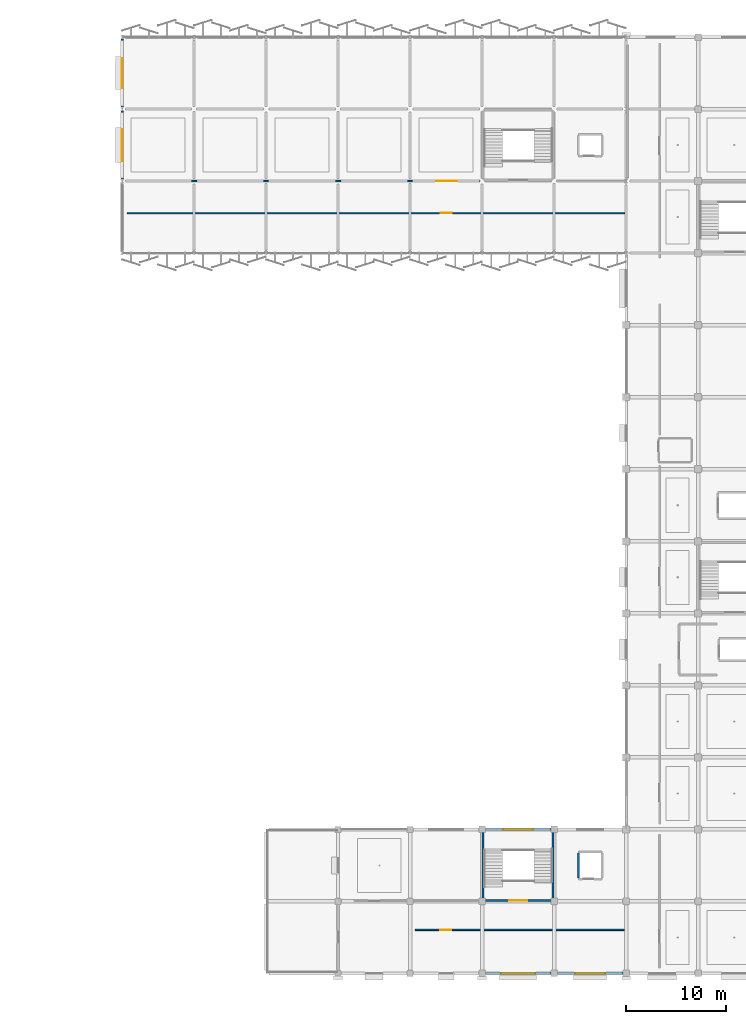
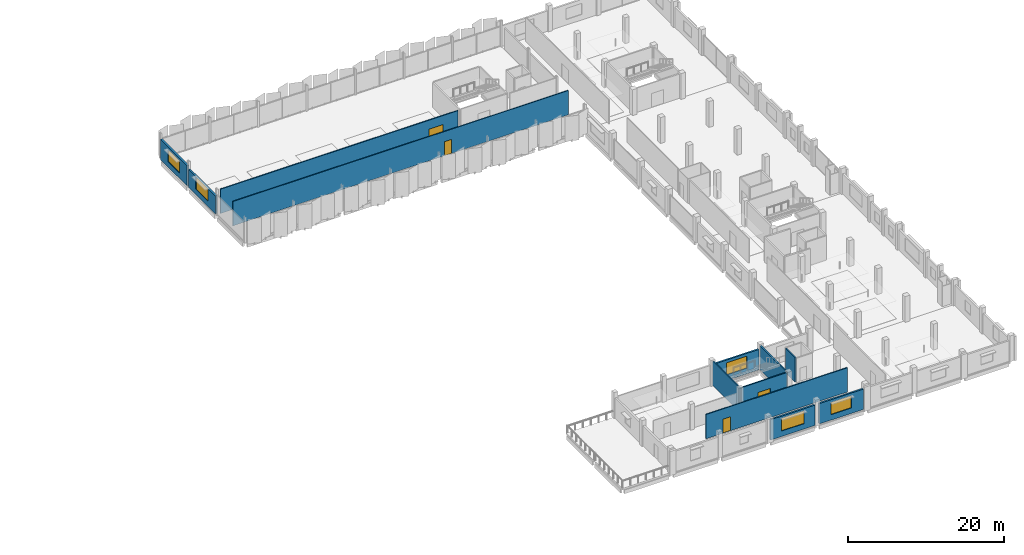
# One storey, part 70 of 91: 12 walls, 5 windows, 4 doors, 9 openings.
"""IFC4 building model written with IfcOpenShell, lengths in metres."""

import ifcopenshell
import ifcopenshell.guid

model = None  # the IFC model being written
_history = None  # IfcOwnerHistory: only IFC2X3 demands one
_inside = {}  # id of a spatial element -> (the spatial element, [elements in it])
_under = {}  # id of a project, library or spatial element -> (it, [spatial elements below it])
_declared = {}  # id of a project -> (the project, [libraries it declares])
_typed = {}  # id of a type object -> (the type object, [elements of that type])
_made_of = {}  # id of a material, layer set ... -> (it, [elements and type objects made of it])


def new_model(schema):
    """Start an empty IFC model of exactly this schema.

    Asked for "IFC4X3", IfcOpenShell would pick the latest addendum, in which some entities
    have other attributes; the version numbers below select the first issue.
    IFC2X3 requires an IfcOwnerHistory on every rooted entity: one is made here for all.
    """
    global model, _history
    if schema == "IFC4X3":
        model = ifcopenshell.file(schema_version=(4, 3, 0, 0))
    else:
        model = ifcopenshell.file(schema=schema)
    _inside.clear()
    _under.clear()
    _declared.clear()
    _typed.clear()
    _made_of.clear()
    _history = None
    if model.schema == "IFC2X3":
        org = make("IfcOrganization", Name="unknown")
        user = make(
            "IfcPersonAndOrganization",
            ThePerson=make("IfcPerson", FamilyName="unknown"),
            TheOrganization=org,
        )
        app = make(
            "IfcApplication",
            ApplicationDeveloper=org,
            Version="unknown",
            ApplicationFullName="unknown",
            ApplicationIdentifier="unknown",
        )
        _history = make(
            "IfcOwnerHistory",
            OwningUser=user,
            OwningApplication=app,
            ChangeAction="ADDED",
            CreationDate=0,
        )
    return model


def make(cls, **values):
    """One entity of the class cls with the attributes given. An attribute that is None is left unset."""
    return model.create_entity(
        cls, **{name: value for name, value in values.items() if value is not None}
    )


def rooted(cls, **values):
    """An entity with a GlobalId (a new one), such as an element, a storey or a relation."""
    return make(cls, GlobalId=ifcopenshell.guid.new(), OwnerHistory=_history, **values)


def si_unit(unit_type, name, prefix=None):
    """IfcSIUnit, for example si_unit("LENGTHUNIT", "METRE", prefix="MILLI")."""
    return make("IfcSIUnit", UnitType=unit_type, Prefix=prefix, Name=name)


def assignment(units):
    """IfcUnitAssignment: the units of a project."""
    return None if units is None else make("IfcUnitAssignment", Units=units)


def point(xyz):
    """IfcCartesianPoint."""
    return None if xyz is None else make("IfcCartesianPoint", Coordinates=xyz)


def direction(xyz):
    """IfcDirection."""
    return None if xyz is None else make("IfcDirection", DirectionRatios=xyz)


def frame(location, z_axis=None, x_axis=None):
    """IfcAxis2Placement3D, a coordinate frame: its origin and axes. An axis left out is left unset."""
    return make(
        "IfcAxis2Placement3D",
        Location=point(location),
        Axis=direction(z_axis),
        RefDirection=direction(x_axis),
    )


def frame_2d(location, x_axis=None):
    """IfcAxis2Placement2D, a coordinate frame in the plane: its origin and x axis."""
    return make(
        "IfcAxis2Placement2D", Location=point(location), RefDirection=direction(x_axis)
    )


def origin():
    """The frame at (0, 0, 0) with its axes left unset."""
    return frame((0.0, 0.0, 0.0))


def place(relative_to, where):
    """IfcLocalPlacement: puts the frame where relative to a parent placement (None: the world)."""
    return make(
        "IfcLocalPlacement", PlacementRelTo=relative_to, RelativePlacement=where
    )


def context(
    kind, dimensions, precision=None, world=None, true_north=None, identifier=None
):
    """IfcGeometricRepresentationContext, for example the 3D "Model" context."""
    return make(
        "IfcGeometricRepresentationContext",
        ContextIdentifier=identifier,
        ContextType=kind,
        CoordinateSpaceDimension=dimensions,
        Precision=precision,
        WorldCoordinateSystem=world,
        TrueNorth=true_north,
    )


def subcontext(parent, identifier, kind, view, scale=None):
    """IfcGeometricRepresentationSubContext, for example "Body" below "Model"."""
    return make(
        "IfcGeometricRepresentationSubContext",
        ContextIdentifier=identifier,
        ContextType=kind,
        ParentContext=parent,
        TargetScale=scale,
        TargetView=view,
    )


def project(units=None, contexts=None):
    """IfcProject with its units and contexts."""
    return rooted(
        "IfcProject",
        Name="project",
        RepresentationContexts=contexts,
        UnitsInContext=assignment(units),
    )


def spatial(cls, under=None, at=None, **own):
    """A site, building, storey or space (cls), placed at a placement, below another one or the project."""
    s = rooted(cls, ObjectPlacement=at, **own)
    if under is not None:
        _under.setdefault(under.id(), (under, []))[1].append(s)
    return s


def profile(cls, at=None, kind="AREA", **sizes):
    """A parametric profile (cls). Its sizes go by their IFC names, for example OverallWidth=200.0."""
    return make(cls, ProfileType=kind, Position=at, **sizes)


def rectangle(**sizes):
    """IfcRectangleProfileDef."""
    return profile("IfcRectangleProfileDef", **sizes)


def extrude(swept, where, along, depth):
    """IfcExtrudedAreaSolid: the profile swept, set in the frame where, extruded along a direction by depth."""
    return make(
        "IfcExtrudedAreaSolid",
        SweptArea=swept,
        Position=where,
        ExtrudedDirection=direction(along),
        Depth=depth,
    )


def shape(context_of_items, identifier, shape_type, items):
    """IfcShapeRepresentation: the items that make up one representation, for example the "Body"."""
    return make(
        "IfcShapeRepresentation",
        ContextOfItems=context_of_items,
        RepresentationIdentifier=identifier,
        RepresentationType=shape_type,
        Items=items,
    )


def material(Name=None, Category=None):
    """IfcMaterial."""
    return make("IfcMaterial", Name=Name, Category=Category)


def layer(
    of_material, thickness, ventilated=None, Name=None, Category=None, Priority=None
):
    """IfcMaterialLayer: one layer of a wall or slab, of a material (None: an air gap)."""
    return make(
        "IfcMaterialLayer",
        Material=of_material,
        LayerThickness=thickness,
        IsVentilated=ventilated,
        Name=Name,
        Category=Category,
        Priority=Priority,
    )


def layer_set(layers, Name=None):
    """IfcMaterialLayerSet."""
    return make("IfcMaterialLayerSet", MaterialLayers=layers, LayerSetName=Name)


def made_of(thing, what):
    """Note that an element or type object is made of a material, layer set ...; save() writes the relation."""
    if what is not None:
        _made_of.setdefault(what.id(), (what, []))[1].append(thing)
    return thing


def type_object(cls, material=None, **own):
    """A type object (cls), such as IfcWallType, which elements share."""
    return made_of(rooted(cls, **own), material)


def element(
    cls,
    number,
    at=None,
    inside=None,
    cuts=None,
    type_object=None,
    material=None,
    context=None,
    identifier="Body",
    shape_type=None,
    held_by="IfcProductDefinitionShape",
    body=None,
    shapes=None,
    **own,
):
    """One element of the class cls, such as IfcWall. Its Tag is "e" and its number.

    at: its placement. inside: the storey or other place that contains it. cuts: it is an
    opening in that element (IfcRelVoidsElement). A single representation is given by context,
    identifier, shape_type and body (its items); several are given by shapes. held_by: the class
    of the entity that holds the representations. save() writes the other relations.
    """
    e = rooted(cls, Tag="e%d" % number, ObjectPlacement=at, **own)
    if body is not None:
        shapes = [shape(context, identifier, shape_type, body)]
    if shapes is not None:
        e.Representation = make(held_by, Representations=shapes)
    if inside is not None:
        _inside.setdefault(inside.id(), (inside, []))[1].append(e)
    if cuts is not None:
        rooted(
            "IfcRelVoidsElement", RelatingBuildingElement=cuts, RelatedOpeningElement=e
        )
    if type_object is not None:
        _typed.setdefault(type_object.id(), (type_object, []))[1].append(e)
    return made_of(e, material)


def fill(opening, filler):
    """IfcRelFillsElement: the door or window that sits in an opening."""
    return rooted(
        "IfcRelFillsElement",
        RelatingOpeningElement=opening,
        RelatedBuildingElement=filler,
    )


def aggregate(whole, parts):
    """IfcRelAggregates: a whole, such as a stair, and the parts it consists of."""
    return rooted("IfcRelAggregates", RelatingObject=whole, RelatedObjects=parts)


def save(model, path):
    """Write the relations noted so far, then the file.

    IfcRelAggregates (storeys below a building ...), IfcRelContainedInSpatialStructure (elements
    in a storey), IfcRelDefinesByType, IfcRelAssociatesMaterial and IfcRelDeclares: one each for
    every whole, place, type object, material and project.
    """
    for whole, parts in _under.values():
        aggregate(whole, parts)
    for where, things in _inside.values():
        rooted(
            "IfcRelContainedInSpatialStructure",
            RelatedElements=things,
            RelatingStructure=where,
        )
    for kind, things in _typed.values():
        rooted("IfcRelDefinesByType", RelatedObjects=things, RelatingType=kind)
    for what, things in _made_of.values():
        rooted("IfcRelAssociatesMaterial", RelatedObjects=things, RelatingMaterial=what)
    for by, libraries in _declared.values():
        rooted("IfcRelDeclares", RelatingContext=by, RelatedDefinitions=libraries)
    model.write(path)


model = new_model("IFC4")

# Units and contexts
model_context = context("Model", 3, precision=1e-05, world=origin(), true_north=direction((0.0, 1.0)))
body_context = subcontext(model_context, "Body", "Model", "MODEL_VIEW")
ifc_project = project(units=[si_unit("LENGTHUNIT", "METRE"), si_unit("AREAUNIT", "SQUARE_METRE"), si_unit("VOLUMEUNIT", "CUBIC_METRE"), si_unit("PLANEANGLEUNIT", "RADIAN"), si_unit("MASSUNIT", "GRAM", prefix="KILO")], contexts=[model_context])

# Site, building, storey
site_placement = place(None, origin())
site = spatial("IfcSite", under=ifc_project, at=site_placement, CompositionType="ELEMENT")
building_placement = place(site_placement, origin())
building = spatial("IfcBuilding", under=site, at=building_placement, Name="Kangsadwip Square Police Headquarters", CompositionType="ELEMENT")
storey_placement = place(building_placement, frame((0.0, 0.0, 13.5)))
storey = spatial("IfcBuildingStorey", under=building, at=storey_placement, Name="L03", CompositionType="ELEMENT", Elevation=13.5)

# Wall, opening, door
ifc_material_1 = material(Name="Fire-rated double gypsum board acoustic stud partition", Category="masonry")
ifc_layer_1 = layer(ifc_material_1, 0.1201171875)
ifc_layer_set_1 = layer_set([ifc_layer_1], Name="Fire-rated double gypsum board acoustic stud partition")
wall_type_1 = type_object("IfcWallType", Name="AcousticPartition120", PredefinedType="PARTITIONING", material=ifc_layer_set_1)
wall_1_placement = place(storey_placement, frame((94.10009765625, 97.60009765625, 0.0), z_axis=(0.0, 0.0, 1.0), x_axis=(1.0, 0.0, 0.0)))
wall_1 = element("IfcWall", 1, at=wall_1_placement, inside=storey, type_object=wall_type_1, Name="Interior Wall WI-L03-0818", PredefinedType="PARTITIONING", context=body_context, shape_type="SweptSolid", body=[
    extrude(rectangle(XDim=49.75, YDim=0.1201171875, at=frame_2d((24.875, 0.0))), origin(), (0.0, 0.0, 1.0), 3.81005859375),
])
opening_1_placement = place(wall_1_placement, frame((31.346923828125, 0.0, 0.0)))
opening_1 = element("IfcOpeningElement", 2, at=opening_1_placement, cuts=wall_1, Name="Opening FD-11A", PredefinedType="OPENING", context=body_context, shape_type="SweptSolid", body=[
    extrude(rectangle(XDim=1.10009765625, YDim=2.199951171875, at=frame_2d((0.550048828125, 1.10009765625))), frame((0.0, 0.070068359375, 0.0), z_axis=(0.0, -1.0, 0.0), x_axis=(1.0, 0.0, 0.0)), (0.0, 0.0, 1.0), 0.14013671875),
])
ifc_material_2 = material(Name="Insulated galvanized steel fire-rated door assembly", Category="steel")
door_type_1 = type_object("IfcDoorType", Name="LabSingleDoor1100x2200", OperationType="NOTDEFINED", PredefinedType="DOOR", material=ifc_material_2)
door_1_placement = place(opening_1_placement, origin())
door_1 = element("IfcDoor", 3, at=door_1_placement, inside=storey, type_object=door_type_1, Name="Interior Door ID-L03-0211", OperationType="SINGLE_SWING_LEFT", OverallHeight=2.199951171875, OverallWidth=1.10009765625, PredefinedType="DOOR", context=body_context, shape_type="SweptSolid", body=[
    extrude(rectangle(XDim=1.10009765625, YDim=2.199951171875, at=frame_2d((0.550048828125, 1.10009765625))), frame((0.0, 0.02490234375, 0.0), z_axis=(0.0, -1.0, 0.0), x_axis=(1.0, 0.0, 0.0)), (0.0, 0.0, 1.0), 0.050048828125),
])
fill(opening_1, door_1)

ifc_material_3 = material(Name="Autoclaved aerated concrete blockwork masonry", Category="masonry")
ifc_layer_2 = layer(ifc_material_3, 0.14990234375)
ifc_layer_set_2 = layer_set([ifc_layer_2], Name="Autoclaved aerated concrete blockwork masonry")
wall_type_2 = type_object("IfcWallType", Name="BlockPartition150", PredefinedType="PARTITIONING", material=ifc_layer_set_2)
wall_2_placement = place(storey_placement, frame((94.10009765625, 100.800048828125, 0.0), z_axis=(0.0, 0.0, 1.0), x_axis=(1.0, 0.0, 0.0)))
wall_2 = element("IfcWall", 4, at=wall_2_placement, inside=storey, type_object=wall_type_2, Name="Interior Wall WI-L03-0816", PredefinedType="PARTITIONING", context=body_context, shape_type="SweptSolid", body=[
    extrude(rectangle(XDim=35.25, YDim=0.14990234375, at=frame_2d((17.625, 0.0))), origin(), (0.0, 0.0, 1.0), 3.81005859375),
])
opening_2_placement = place(wall_2_placement, frame((30.89111328125, 0.0, 0.0)))
opening_2 = element("IfcOpeningElement", 5, at=opening_2_placement, cuts=wall_2, Name="Opening ID-21", PredefinedType="OPENING", context=body_context, shape_type="SweptSolid", body=[
    extrude(rectangle(XDim=2.10009765625, YDim=2.39990234375, at=frame_2d((1.050048828125, 1.199951171875))), frame((0.0, 0.0849609375, 0.0), z_axis=(0.0, -1.0, 0.0), x_axis=(1.0, 0.0, 0.0)), (0.0, 0.0, 1.0), 0.169921875),
])
ifc_material_4 = material(Name="Solid-core seasoned teak hardwood architectural door", Category="wood")
door_type_2 = type_object("IfcDoorType", Name="HallDoubleDoor2100x2400", OperationType="DOUBLE_DOOR_SINGLE_SWING", PredefinedType="DOOR", material=ifc_material_4)
door_2_placement = place(opening_2_placement, origin())
door_2 = element("IfcDoor", 6, at=door_2_placement, inside=storey, type_object=door_type_2, Name="Interior Door ID-L03-0210", OperationType="DOUBLE_DOOR_SINGLE_SWING", OverallHeight=2.39990234375, OverallWidth=2.10009765625, PredefinedType="DOOR", context=body_context, shape_type="SweptSolid", body=[
    extrude(rectangle(XDim=2.10009765625, YDim=2.39990234375, at=frame_2d((1.050048828125, 1.199951171875))), frame((0.0, 0.02490234375, 0.0), z_axis=(0.0, -1.0, 0.0), x_axis=(1.0, 0.0, 0.0)), (0.0, 0.0, 1.0), 0.050048828125),
])
fill(opening_2, door_2)

wall_3_placement = place(storey_placement, frame((122.89990234375, 25.949951171875, 0.0), z_axis=(0.0, 0.0, 1.0), x_axis=(1.0, 0.0, 0.0)))
wall_3 = element("IfcWall", 7, at=wall_3_placement, inside=storey, type_object=wall_type_2, Name="Interior Wall WI-L03-0827", PredefinedType="PARTITIONING", context=body_context, shape_type="SweptSolid", body=[
    extrude(rectangle(XDim=20.9501953125, YDim=0.14990234375, at=frame_2d((10.47509765625, 0.0))), origin(), (0.0, 0.0, 1.0), 3.81005859375),
])
opening_3_placement = place(wall_3_placement, frame((2.511962890625, 0.0, 0.0)))
opening_3 = element("IfcOpeningElement", 8, at=opening_3_placement, cuts=wall_3, Name="Opening FD-11A", PredefinedType="OPENING", context=body_context, shape_type="SweptSolid", body=[
    extrude(rectangle(XDim=1.10009765625, YDim=2.199951171875, at=frame_2d((0.550048828125, 1.10009765625))), frame((0.0, 0.0849609375, 0.0), z_axis=(0.0, -1.0, 0.0), x_axis=(1.0, 0.0, 0.0)), (0.0, 0.0, 1.0), 0.169921875),
])
door_3_placement = place(opening_3_placement, origin())
door_3 = element("IfcDoor", 9, at=door_3_placement, inside=storey, type_object=door_type_1, Name="Interior Door ID-L03-0218", OperationType="SINGLE_SWING_LEFT", OverallHeight=2.199951171875, OverallWidth=1.10009765625, PredefinedType="DOOR", context=body_context, shape_type="SweptSolid", body=[
    extrude(rectangle(XDim=1.10009765625, YDim=2.199951171875, at=frame_2d((0.550048828125, 1.10009765625))), frame((0.0, 0.02490234375, 0.0), z_axis=(0.0, -1.0, 0.0), x_axis=(1.0, 0.0, 0.0)), (0.0, 0.0, 1.0), 0.050048828125),
])
fill(opening_3, door_3)

# Wall, opening, window
ifc_material_5 = material(Name="Glazed architectural terracotta masonry rainscreen", Category="masonry")
ifc_layer_3 = layer(ifc_material_5, 0.25)
ifc_layer_set_3 = layer_set([ifc_layer_3], Name="Glazed architectural terracotta masonry rainscreen")
wall_type_3 = type_object("IfcWallType", Name="ChicagoTerracottaWall250", PredefinedType="SOLIDWALL", material=ifc_layer_set_3)
wall_4_placement = place(storey_placement, frame((129.919921875, 21.60009765625, 0.0), z_axis=(0.0, 0.0, 1.0), x_axis=(1.0, 0.0, 0.0)))
wall_4 = element("IfcWall", 10, at=wall_4_placement, inside=storey, type_object=wall_type_3, Name="Exterior Wall WE-L03-364", PredefinedType="SOLIDWALL", context=body_context, shape_type="SweptSolid", body=[
    extrude(rectangle(XDim=6.56005859375, YDim=0.25, at=frame_2d((3.280029296875, 0.0))), origin(), (0.0, 0.0, 1.0), 3.195068359375),
])
opening_4_placement = place(wall_4_placement, frame((1.580078125, 0.0, 0.85009765625)))
opening_4 = element("IfcOpeningElement", 11, at=opening_4_placement, cuts=wall_4, Name="Opening WN-02", PredefinedType="OPENING", context=body_context, shape_type="SweptSolid", body=[
    extrude(rectangle(XDim=3.39990234375, YDim=2.0, at=frame_2d((1.699951171875, 1.0))), frame((0.0, 0.135009765625, 0.0), z_axis=(0.0, -1.0, 0.0), x_axis=(1.0, 0.0, 0.0)), (0.0, 0.0, 1.0), 0.27001953125),
])
ifc_material_6 = material(Name="Double-glazed solar-control low-E safety glass", Category="glass")
window_type_1 = type_object("IfcWindowType", Name="ChicagoTripartiteWin3400x2000", PartitioningType="TRIPLE_PANEL_HORIZONTAL", PredefinedType="WINDOW", material=ifc_material_6)
window_1_placement = place(opening_4_placement, origin())
window_1 = element("IfcWindow", 12, at=window_1_placement, inside=storey, type_object=window_type_1, Name="Window WN-L03-0217", OverallHeight=2.0, OverallWidth=3.39990234375, PartitioningType="SINGLE_PANEL", PredefinedType="WINDOW", context=body_context, shape_type="SweptSolid", body=[
    extrude(rectangle(XDim=3.39990234375, YDim=2.0, at=frame_2d((1.699951171875, 1.0))), frame((0.0, 0.030029296875, 0.0), z_axis=(0.0, -1.0, 0.0), x_axis=(1.0, 0.0, 0.0)), (0.0, 0.0, 1.0), 0.06005859375),
])
fill(opening_4, window_1)

wall_5_placement = place(storey_placement, frame((137.1201171875, 21.60009765625, 0.0), z_axis=(0.0, 0.0, 1.0), x_axis=(1.0, 0.0, 0.0)))
wall_5 = element("IfcWall", 13, at=wall_5_placement, inside=storey, type_object=wall_type_3, Name="Exterior Wall WE-L03-365", PredefinedType="SOLIDWALL", context=body_context, shape_type="SweptSolid", body=[
    extrude(rectangle(XDim=6.559814453125, YDim=0.25, at=frame_2d((3.27978515625, 0.0))), origin(), (0.0, 0.0, 1.0), 3.195068359375),
])
opening_5_placement = place(wall_5_placement, frame((1.780029296875, 0.0, 0.85009765625)))
opening_5 = element("IfcOpeningElement", 14, at=opening_5_placement, cuts=wall_5, Name="Opening WN-04", PredefinedType="OPENING", context=body_context, shape_type="SweptSolid", body=[
    extrude(rectangle(XDim=3.0, YDim=1.89990234375, at=frame_2d((1.5, 0.949951171875))), frame((0.0, 0.135009765625, 0.0), z_axis=(0.0, -1.0, 0.0), x_axis=(1.0, 0.0, 0.0)), (0.0, 0.0, 1.0), 0.27001953125),
])
ifc_material_7 = material(Name="Double-glazed solar-control low-E safety glass", Category="glass")
window_type_2 = type_object("IfcWindowType", Name="ChicagoTripartiteWin3000x1900", PartitioningType="TRIPLE_PANEL_HORIZONTAL", PredefinedType="WINDOW", material=ifc_material_7)
window_2_placement = place(opening_5_placement, origin())
window_2 = element("IfcWindow", 15, at=window_2_placement, inside=storey, type_object=window_type_2, Name="Window WN-L03-0218", OverallHeight=1.89990234375, OverallWidth=3.0, PartitioningType="SINGLE_PANEL", PredefinedType="WINDOW", context=body_context, shape_type="SweptSolid", body=[
    extrude(rectangle(XDim=3.0, YDim=1.89990234375, at=frame_2d((1.5, 0.949951171875))), frame((0.0, 0.030029296875, 0.0), z_axis=(0.0, -1.0, 0.0), x_axis=(1.0, 0.0, 0.0)), (0.0, 0.0, 1.0), 0.06005859375),
])
fill(opening_5, window_2)

wall_6_placement = place(storey_placement, frame((129.919921875, 36.0, 0.0), z_axis=(0.0, 0.0, 1.0), x_axis=(1.0, 0.0, 0.0)))
wall_6 = element("IfcWall", 16, at=wall_6_placement, inside=storey, type_object=wall_type_3, Name="Exterior Wall WE-L03-373", PredefinedType="SOLIDWALL", context=body_context, shape_type="SweptSolid", body=[
    extrude(rectangle(XDim=6.56005859375, YDim=0.25, at=frame_2d((3.280029296875, 0.0))), origin(), (0.0, 0.0, 1.0), 3.195068359375),
])
opening_6_placement = place(wall_6_placement, frame((1.780029296875, 0.0, 0.85009765625)))
opening_6 = element("IfcOpeningElement", 17, at=opening_6_placement, cuts=wall_6, Name="Opening WN-04", PredefinedType="OPENING", context=body_context, shape_type="SweptSolid", body=[
    extrude(rectangle(XDim=3.0, YDim=1.89990234375, at=frame_2d((1.5, 0.949951171875))), frame((0.0, 0.135009765625, 0.0), z_axis=(0.0, -1.0, 0.0), x_axis=(1.0, 0.0, 0.0)), (0.0, 0.0, 1.0), 0.27001953125),
])
window_3_placement = place(opening_6_placement, origin())
window_3 = element("IfcWindow", 18, at=window_3_placement, inside=storey, type_object=window_type_2, Name="Window WN-L03-0226", OverallHeight=1.89990234375, OverallWidth=3.0, PartitioningType="SINGLE_PANEL", PredefinedType="WINDOW", context=body_context, shape_type="SweptSolid", body=[
    extrude(rectangle(XDim=3.0, YDim=1.89990234375, at=frame_2d((1.5, 0.949951171875))), frame((0.0, 0.030029296875, 0.0), z_axis=(0.0, -1.0, 0.0), x_axis=(1.0, 0.0, 0.0)), (0.0, 0.0, 1.0), 0.06005859375),
])
fill(opening_6, window_3)

wall_7_placement = place(storey_placement, frame((93.60009765625, 100.97802734375, 0.0), z_axis=(0.0, 0.0, 1.0), x_axis=(0.0, 1.0, 0.0)))
wall_7 = element("IfcWall", 19, at=wall_7_placement, inside=storey, type_object=wall_type_3, Name="Exterior Wall WE-L03-399", PredefinedType="SOLIDWALL", context=body_context, shape_type="SweptSolid", body=[
    extrude(rectangle(XDim=6.843994140625, YDim=0.25, at=frame_2d((3.421875, 0.0))), origin(), (0.0, 0.0, 1.0), 2.844970703125),
])
opening_7_placement = place(wall_7_placement, frame((1.822021484375, 0.0, 0.85009765625)))
opening_7 = element("IfcOpeningElement", 20, at=opening_7_placement, cuts=wall_7, Name="Opening WN-03", PredefinedType="OPENING", context=body_context, shape_type="SweptSolid", body=[
    extrude(rectangle(XDim=3.199951171875, YDim=1.949951171875, at=frame_2d((1.60009765625, 0.97509765625))), frame((0.0, 0.135009765625, 0.0), z_axis=(0.0, -1.0, 0.0), x_axis=(1.0, 0.0, 0.0)), (0.0, 0.0, 1.0), 0.27001953125),
])
ifc_material_8 = material(Name="Double-glazed solar-control low-E safety glass", Category="glass")
window_type_3 = type_object("IfcWindowType", Name="ChicagoTripartiteWin3200x1950", PartitioningType="TRIPLE_PANEL_HORIZONTAL", PredefinedType="WINDOW", material=ifc_material_8)
window_4_placement = place(opening_7_placement, origin())
window_4 = element("IfcWindow", 21, at=window_4_placement, inside=storey, type_object=window_type_3, Name="Window WN-L03-0251", OverallHeight=1.949951171875, OverallWidth=3.199951171875, PartitioningType="SINGLE_PANEL", PredefinedType="WINDOW", context=body_context, shape_type="SweptSolid", body=[
    extrude(rectangle(XDim=3.199951171875, YDim=1.949951171875, at=frame_2d((1.60009765625, 0.97509765625))), frame((0.0, 0.030029296875, 0.0), z_axis=(0.0, -1.0, 0.0), x_axis=(1.0, 0.0, 0.0)), (0.0, 0.0, 1.0), 0.06005859375),
])
fill(opening_7, window_4)

wall_8_placement = place(storey_placement, frame((93.60009765625, 108.177978515625, 0.0), z_axis=(0.0, 0.0, 1.0), x_axis=(0.0, 1.0, 0.0)))
wall_8 = element("IfcWall", 22, at=wall_8_placement, inside=storey, type_object=wall_type_3, Name="Exterior Wall WE-L03-400", PredefinedType="SOLIDWALL", context=body_context, shape_type="SweptSolid", body=[
    extrude(rectangle(XDim=6.843994140625, YDim=0.25, at=frame_2d((3.421875, 0.0))), origin(), (0.0, 0.0, 1.0), 3.195068359375),
])
opening_8_placement = place(wall_8_placement, frame((1.922119140625, 0.0, 0.85009765625)))
opening_8 = element("IfcOpeningElement", 23, at=opening_8_placement, cuts=wall_8, Name="Opening WN-04", PredefinedType="OPENING", context=body_context, shape_type="SweptSolid", body=[
    extrude(rectangle(XDim=3.0, YDim=1.89990234375, at=frame_2d((1.5, 0.949951171875))), frame((0.0, 0.135009765625, 0.0), z_axis=(0.0, -1.0, 0.0), x_axis=(1.0, 0.0, 0.0)), (0.0, 0.0, 1.0), 0.27001953125),
])
window_5_placement = place(opening_8_placement, origin())
window_5 = element("IfcWindow", 24, at=window_5_placement, inside=storey, type_object=window_type_2, Name="Window WN-L03-0252", OverallHeight=1.89990234375, OverallWidth=3.0, PartitioningType="SINGLE_PANEL", PredefinedType="WINDOW", context=body_context, shape_type="SweptSolid", body=[
    extrude(rectangle(XDim=3.0, YDim=1.89990234375, at=frame_2d((1.5, 0.949951171875))), frame((0.0, 0.030029296875, 0.0), z_axis=(0.0, -1.0, 0.0), x_axis=(1.0, 0.0, 0.0)), (0.0, 0.0, 1.0), 0.06005859375),
])
fill(opening_8, window_5)

# Wall, opening, door
ifc_material_9 = material(Name="Concrete M40 (40 MPa)", Category="concrete")
ifc_layer_4 = layer(ifc_material_9, 0.199951171875)
ifc_layer_set_4 = layer_set([ifc_layer_4], Name="Concrete M40 (40 MPa)")
wall_type_4 = type_object("IfcWallType", Name="CoreShearWall200", PredefinedType="SHEAR", material=ifc_layer_set_4)
wall_9_placement = place(storey_placement, frame((129.800048828125, 28.89990234375, 0.0), z_axis=(0.0, 0.0, 1.0), x_axis=(1.0, 0.0, 0.0)))
wall_9 = element("IfcWall", 25, at=wall_9_placement, inside=storey, type_object=wall_type_4, Name="Interior Wall WI-L03-0190", PredefinedType="SHEAR", context=body_context, shape_type="SweptSolid", body=[
    extrude(rectangle(XDim=6.800048828125, YDim=0.199951171875, at=frame_2d((3.39990234375, 0.0))), origin(), (0.0, 0.0, 1.0), 3.81005859375),
])
opening_9_placement = place(wall_9_placement, frame((2.5, 0.0, 0.0)))
opening_9 = element("IfcOpeningElement", 26, at=opening_9_placement, cuts=wall_9, Name="Opening FD-18", PredefinedType="OPENING", context=body_context, shape_type="SweptSolid", body=[
    extrude(rectangle(XDim=1.800048828125, YDim=2.199951171875, at=frame_2d((0.89990234375, 1.10009765625))), frame((0.0, 0.10986328125, 0.0), z_axis=(0.0, -1.0, 0.0), x_axis=(1.0, 0.0, 0.0)), (0.0, 0.0, 1.0), 0.219970703125),
])
ifc_material_10 = material(Name="Insulated galvanized steel fire-rated door assembly", Category="steel")
door_type_3 = type_object("IfcDoorType", Name="StairFireDoor1800x2200", OperationType="DOUBLE_DOOR_SINGLE_SWING", PredefinedType="DOOR", material=ifc_material_10)
door_4_placement = place(opening_9_placement, origin())
door_4 = element("IfcDoor", 27, at=door_4_placement, inside=storey, type_object=door_type_3, Name="Interior Door ID-L03-0043", OperationType="DOUBLE_DOOR_SINGLE_SWING", OverallHeight=2.199951171875, OverallWidth=1.800048828125, PredefinedType="DOOR", context=body_context, shape_type="SweptSolid", body=[
    extrude(rectangle(XDim=1.800048828125, YDim=2.199951171875, at=frame_2d((0.89990234375, 1.10009765625))), frame((0.0, 0.02490234375, 0.0), z_axis=(0.0, -1.0, 0.0), x_axis=(1.0, 0.0, 0.0)), (0.0, 0.0, 1.0), 0.050048828125),
])
fill(opening_9, door_4)

# Walls
for number, where, z_axis, x_axis, name in (
    (28, (129.699951171875, 29.0, 0.0), (0.0, 0.0, 1.0), (0.0, 1.0, 0.0), "Interior Wall WI-L03-0191"),
    (29, (136.699951171875, 29.0, 0.0), (0.0, 0.0, 1.0), (0.0, 1.0, 0.0), "Interior Wall WI-L03-0192"),
):
    element("IfcWall", number, at=place(storey_placement, frame(where, z_axis=z_axis, x_axis=x_axis)), inside=storey, type_object=wall_type_4, Name=name, PredefinedType="SHEAR", context=body_context, shape_type="SweptSolid", body=[
        extrude(rectangle(XDim=6.800048828125, YDim=0.199951171875, at=frame_2d((3.39990234375, 0.0))), origin(), (0.0, 0.0, 1.0), 3.81005859375),
    ])
wall_10_placement = place(storey_placement, frame((139.22509765625, 31.14990234375, 0.0), z_axis=(0.0, 0.0, 1.0), x_axis=(0.0, 1.0, 0.0)))
element("IfcWall", 30, at=wall_10_placement, inside=storey, type_object=wall_type_4, Name="Interior Wall WI-L03-0501", PredefinedType="SHEAR", context=body_context, shape_type="SweptSolid", body=[
    extrude(rectangle(XDim=2.5, YDim=0.199951171875, at=frame_2d((1.25, 0.0))), origin(), (0.0, 0.0, 1.0), 3.81005859375),
])

save(model, "model.ifc")
